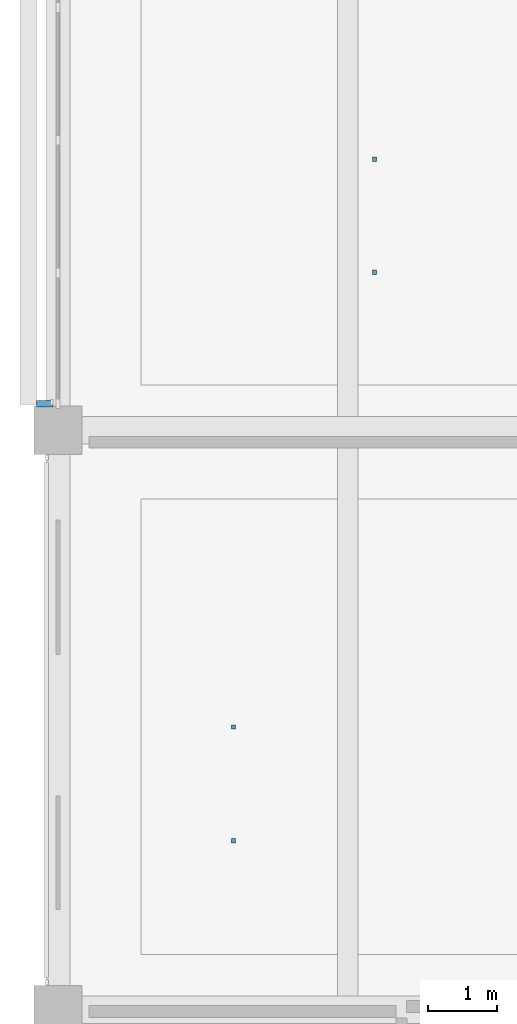
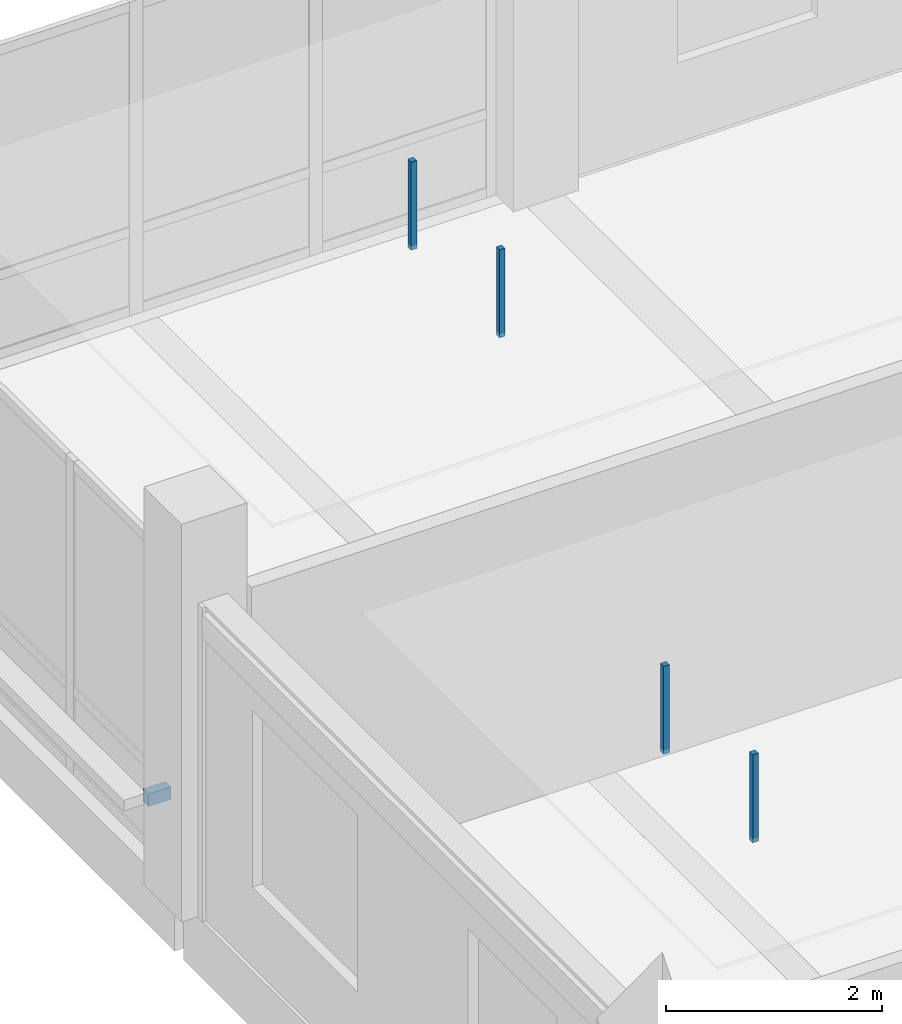
# One storey, part 17 of 32: 5 discrete accessories.
"""IFC4 building model written with IfcOpenShell, lengths in metres."""

from ifc_helpers import new_model, si_unit, direction, frame, origin, origin_2d, place, context, subcontext, project, spatial, rectangle, extrude, material, type_object, element, save


model = new_model("IFC4")

# Units and contexts
model_context = context("Model", 3, precision=1e-05, world=origin(), true_north=direction((0.0, 1.0)))
body_context = subcontext(model_context, "Body", "Model", "MODEL_VIEW")
ifc_project = project(units=[si_unit("LENGTHUNIT", "METRE"), si_unit("AREAUNIT", "SQUARE_METRE"), si_unit("VOLUMEUNIT", "CUBIC_METRE"), si_unit("PLANEANGLEUNIT", "RADIAN"), si_unit("MASSUNIT", "GRAM", prefix="KILO")], contexts=[model_context])

# Site, building, storey
site_placement = place(None, origin())
site = spatial("IfcSite", under=ifc_project, at=site_placement, CompositionType="ELEMENT")
building_placement = place(site_placement, origin())
building = spatial("IfcBuilding", under=site, at=building_placement, Name="Telukmera Botanical Conservatory", CompositionType="ELEMENT")
storey_placement = place(building_placement, frame((0.0, 0.0, 42.0)))
storey = spatial("IfcBuildingStorey", under=building, at=storey_placement, Name="L09", CompositionType="ELEMENT", Elevation=42.0)

# Discrete accessories
ifc_material = material(Name="Steel S355", Category="steel")
discrete_accessory_type_1 = type_object("IfcDiscreteAccessoryType", Name="ACC-CEIL-HGR", PredefinedType="BRACKET", material=ifc_material)
for number, where, z_axis, x_axis, name in (
    (1, (52.94189453125, 28.449951171875, 3.31005859375), (0.0, 0.0, 1.0), (1.0, 0.0, 0.0), "L09 Suspended Ceiling Hanger Rod 018-1"),
    (2, (52.94189453125, 30.10009765625, 3.31005859375), (0.0, 0.0, 1.0), (1.0, 0.0, 0.0), "L09 Suspended Ceiling Hanger Rod 018-2"),
    (3, (54.988037109375, 36.6875, 3.31005859375), (0.0, 0.0, 1.0), (1.0, 0.0, 0.0), "L09 Suspended Ceiling Hanger Rod 034-1"),
    (4, (54.988037109375, 38.324951171875, 3.31005859375), (0.0, 0.0, 1.0), (1.0, 0.0, 0.0), "L09 Suspended Ceiling Hanger Rod 034-2"),
):
    element("IfcDiscreteAccessory", number, at=place(storey_placement, frame(where, z_axis=z_axis, x_axis=x_axis)), inside=storey, type_object=discrete_accessory_type_1, Name=name, PredefinedType="BRACKET", context=body_context, shape_type="SweptSolid", body=[
        extrude(rectangle(XDim=0.06005859375, YDim=0.06005859375, at=origin_2d()), origin(), (0.0, 0.0, 1.0), 0.9951171875),
    ])
discrete_accessory_type_2 = type_object("IfcDiscreteAccessoryType", Name="Structural Steel Facade Outrigger Fin Bracket", PredefinedType="BRACKET", material=ifc_material)
discrete_accessory_placement = place(storey_placement, frame((50.2099609375, 34.781982421875, 0.8798828125), z_axis=(0.0, 0.0, 1.0), x_axis=(0.0, 1.0, 0.0)))
element("IfcDiscreteAccessory", 5, at=discrete_accessory_placement, inside=storey, type_object=discrete_accessory_type_2, Name="Facade Outrigger Bracket V4:L09:W4 A", PredefinedType="BRACKET", context=body_context, shape_type="SweptSolid", body=[
    extrude(rectangle(XDim=0.10009765625, YDim=0.239990234375, at=origin_2d()), origin(), (0.0, 0.0, 1.0), 0.139892578125),
])

save(model, "model.ifc")
